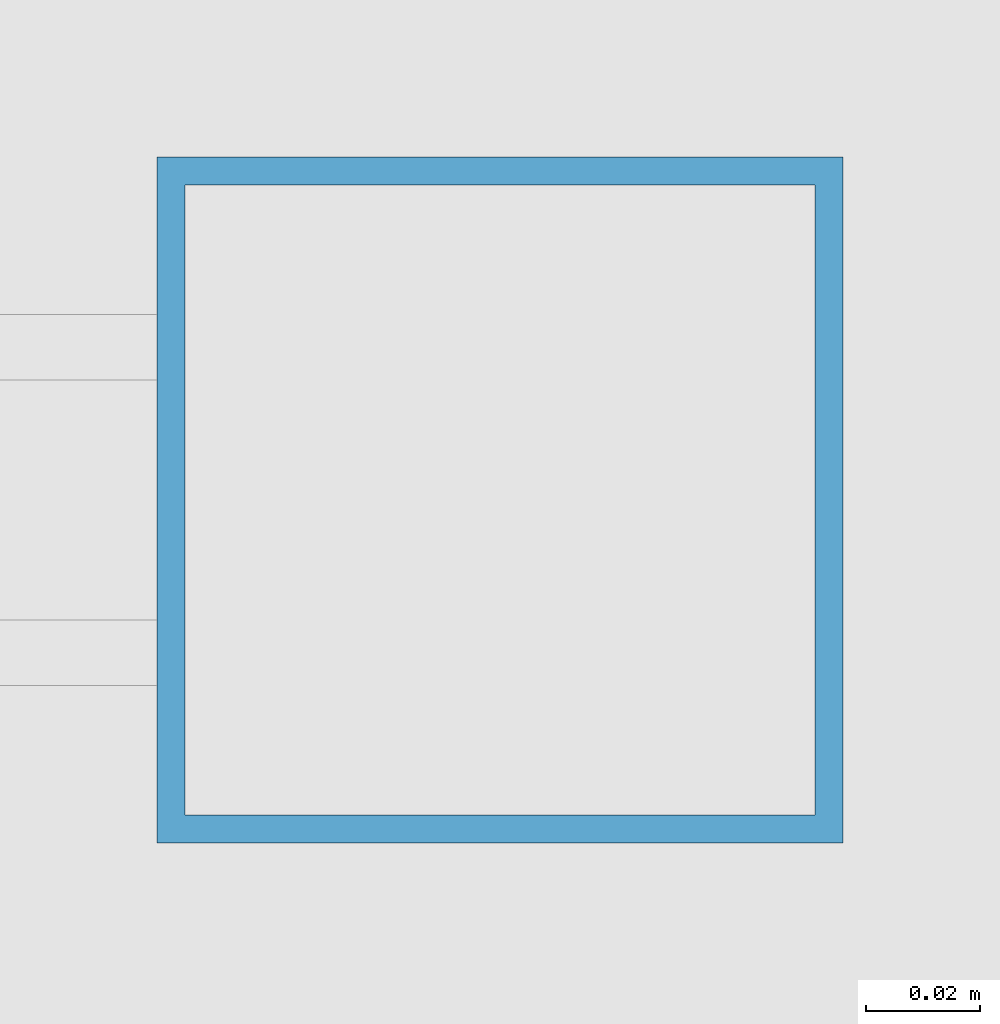
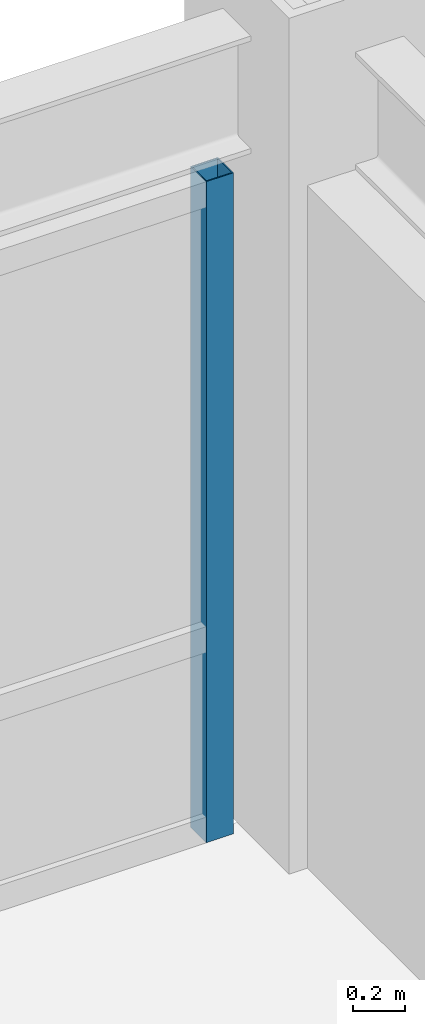
# One storey, part 22 of 28: 1 member, 1 element without a shape of its own.
"""IFC4 building model written with IfcOpenShell, lengths in metres."""

from ifc_helpers import new_model, si_unit, direction, frame, origin, origin_2d, place, context, subcontext, project, spatial, hollow_rectangle, extrude, source, transform, mapped, material, material_profile, profile_set, type_object, element, aggregate, save


model = new_model("IFC4")

# Units and contexts
model_context = context("Model", 3, precision=1e-05, world=origin(), true_north=direction((0.0, 1.0)))
body_context = subcontext(model_context, "Body", "Model", "MODEL_VIEW")
ifc_project = project(units=[si_unit("LENGTHUNIT", "METRE"), si_unit("AREAUNIT", "SQUARE_METRE"), si_unit("VOLUMEUNIT", "CUBIC_METRE"), si_unit("PLANEANGLEUNIT", "RADIAN"), si_unit("MASSUNIT", "GRAM", prefix="KILO")], contexts=[model_context])

# Site, building, storey
site_placement = place(None, origin())
site = spatial("IfcSite", under=ifc_project, at=site_placement, CompositionType="ELEMENT")
building_placement = place(site_placement, origin())
building = spatial("IfcBuilding", under=site, at=building_placement, Name="Khorayat Bourse Tower", CompositionType="ELEMENT")
storey_placement = place(building_placement, frame((0.0, 0.0, 334.300048828125)))
storey = spatial("IfcBuildingStorey", under=building, at=storey_placement, Name="L79", CompositionType="ELEMENT", Elevation=334.300048828125)

# Curtain wall, member
ifc_material = material(Name="Aluminium EN AW-6063 T6", Category="aluminium")
curtain_wall_type = type_object("IfcCurtainWallType", Name="CW-SYS-04", PredefinedType="NOTDEFINED", material=ifc_material)
curtain_wall_placement = place(storey_placement, origin())
curtain_wall = element("IfcCurtainWall", 1, at=curtain_wall_placement, inside=storey, type_object=curtain_wall_type, Name="L79 Curtain Wall CW-L79-N1", PredefinedType="NOTDEFINED")
ifc_material_profile = material_profile(ifc_material, hollow_rectangle(XDim=0.1201171875, YDim=0.1201171875, WallThickness=0.0048828125, at=origin_2d()), Name="ALU 120x120x5")
ifc_profile_set = profile_set([ifc_material_profile], Name="Aluminium EN AW-6063 T6")
member_type = type_object("IfcMemberType", Name="CWM-VERT-120", PredefinedType="MULLION", material=ifc_profile_set)
shared_shape = source(origin(), body_context, "Body", "SweptSolid", [
    extrude(hollow_rectangle(XDim=0.1201171875, YDim=0.1201171875, WallThickness=0.0048828125, at=origin_2d()), origin(), (0.0, 0.0, 1.0), 3.08984375),
])
member_placement = place(storey_placement, frame((19.489990234375, 26.0, 0.0), z_axis=(0.0, 0.0, 1.0), x_axis=(0.0, 1.0, 0.0)))
member = element("IfcMember", 2, at=member_placement, type_object=member_type, Name="CW-L79-N1 Vertical Mullion 3", PredefinedType="MULLION", context=body_context, shape_type="MappedRepresentation", body=[
    mapped(shared_shape, transform((0.0, 0.0, 0.0), scale=1.0)),
])
aggregate(curtain_wall, [member])

save(model, "model.ifc")
